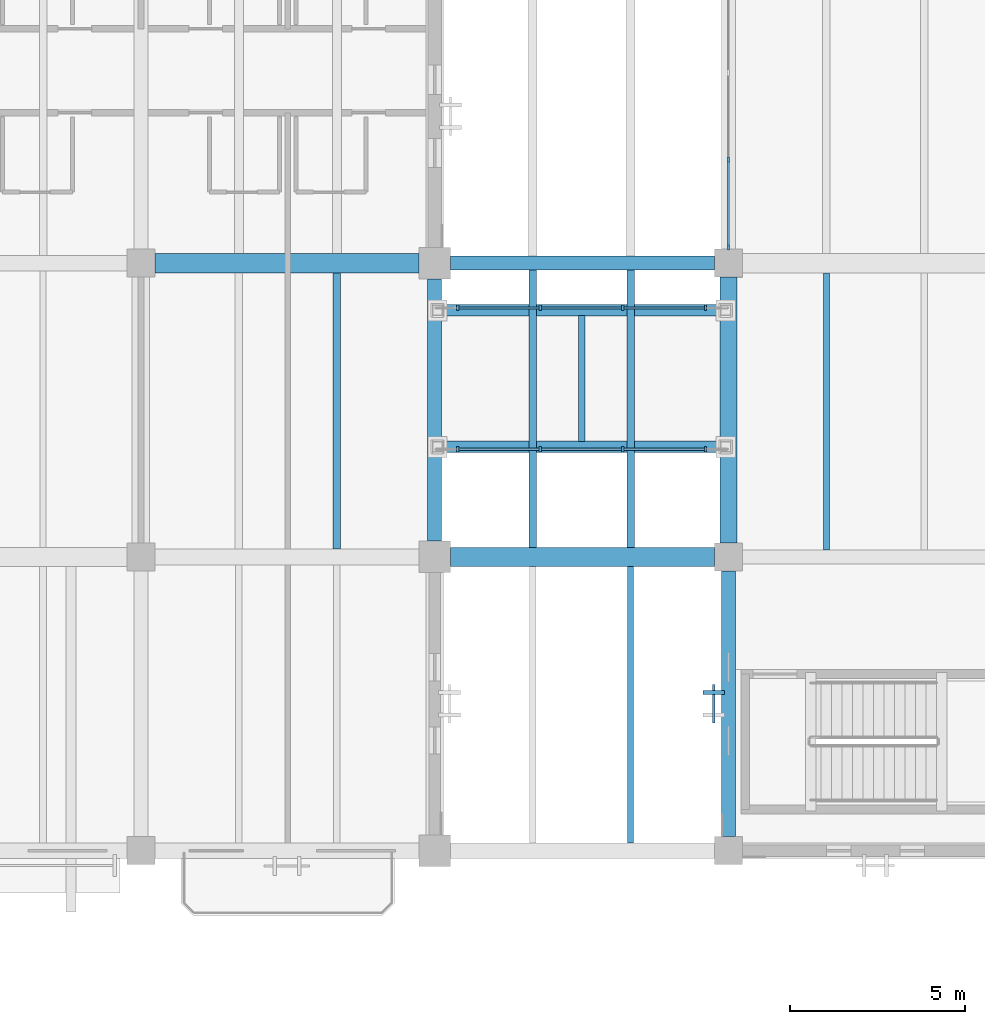
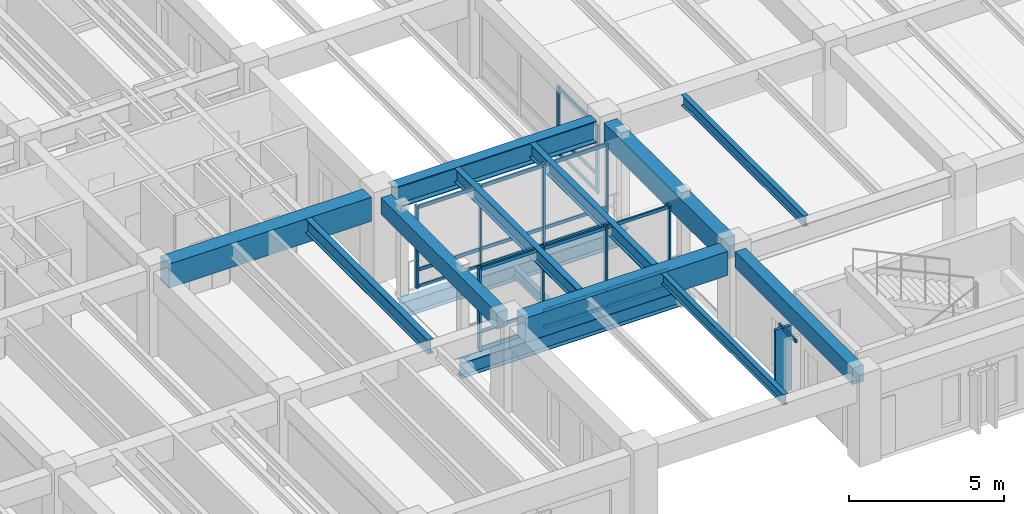
# One storey, part 34 of 118: 33 members, 14 beams, 4 elements without a shape of their own.
"""IFC4 building model written with IfcOpenShell, lengths in metres."""

from ifc_helpers import new_model, si_unit, direction, frame, origin, origin_2d, place, context, subcontext, project, spatial, rectangle, i_section, extrude, material, material_profile, profile_set, type_object, element, aggregate, save


model = new_model("IFC4")

# Units and contexts
model_context = context("Model", 3, precision=1e-05, world=origin(), true_north=direction((0.0, 1.0)))
body_context = subcontext(model_context, "Body", "Model", "MODEL_VIEW")
ifc_project = project(units=[si_unit("LENGTHUNIT", "METRE"), si_unit("AREAUNIT", "SQUARE_METRE"), si_unit("VOLUMEUNIT", "CUBIC_METRE"), si_unit("PLANEANGLEUNIT", "RADIAN"), si_unit("MASSUNIT", "GRAM", prefix="KILO")], contexts=[model_context])

# Site, building, storey
site_placement = place(None, origin())
site = spatial("IfcSite", under=ifc_project, at=site_placement, CompositionType="ELEMENT")
building_placement = place(site_placement, origin())
building = spatial("IfcBuilding", under=site, at=building_placement, Name="Cumbredor Promenade Congress Hotel", CompositionType="ELEMENT")
storey_placement = place(building_placement, frame((0.0, 0.0, 3.919921875)))
storey = spatial("IfcBuildingStorey", under=building, at=storey_placement, Name="L01", CompositionType="ELEMENT", Elevation=3.919921875)

# Beams
ifc_material_1 = material(Name="Concrete C40/50", Category="concrete")
ifc_material_profile_1 = material_profile(ifc_material_1, rectangle(XDim=0.39990234375, YDim=0.64990234375, at=origin_2d()), Name="RC BEAM 400x650")
ifc_profile_set_1 = profile_set([ifc_material_profile_1], Name="Concrete C40/50")
beam_type_1 = type_object("IfcBeamType", Name="BM-RC-400x650", PredefinedType="BEAM", material=ifc_profile_set_1)
beam_1_placement = place(storey_placement, frame((84.0, 92.85009765625, 3.03515625), z_axis=(0.0, 1.0, 0.0), x_axis=(-1.0, 0.0, 0.0)))
element("IfcBeam", 1, at=beam_1_placement, inside=storey, type_object=beam_type_1, Name="L02 Y-Grid Beam 161", PredefinedType="BEAM", context=body_context, shape_type="SweptSolid", body=[
    extrude(rectangle(XDim=0.39990234375, YDim=0.64990234375, at=origin_2d()), origin(), (0.0, 0.0, 1.0), 7.5),
])
beam_2_placement = place(storey_placement, frame((92.39990234375, 84.39990234375, 3.03515625), z_axis=(0.0, 1.0, 0.0), x_axis=(-1.0, 0.0, 0.0)))
element("IfcBeam", 2, at=beam_2_placement, inside=storey, type_object=beam_type_1, Name="L02 Y-Grid Beam 173", PredefinedType="BEAM", context=body_context, shape_type="SweptSolid", body=[
    extrude(rectangle(XDim=0.39990234375, YDim=0.64990234375, at=origin_2d()), origin(), (0.0, 0.0, 1.0), 7.60009765625),
])
ifc_material_profile_2 = material_profile(ifc_material_1, rectangle(XDim=0.5, YDim=0.85009765625, at=origin_2d()), Name="RC BEAM 500x850")
ifc_profile_set_2 = profile_set([ifc_material_profile_2], Name="Concrete C40/50")
beam_type_2 = type_object("IfcBeamType", Name="BM-RC-500x850", PredefinedType="BEAM", material=ifc_profile_set_2)
beam_3_placement = place(storey_placement, frame((92.39990234375, 92.800048828125, 2.93505859375), z_axis=(0.0, 1.0, 0.0), x_axis=(-1.0, 0.0, 0.0)))
element("IfcBeam", 3, at=beam_3_placement, inside=storey, type_object=beam_type_2, Name="L02 Y-Grid Beam 175", PredefinedType="BEAM", context=body_context, shape_type="SweptSolid", body=[
    extrude(rectangle(XDim=0.5, YDim=0.85009765625, at=origin_2d()), origin(), (0.0, 0.0, 1.0), 7.599853515625),
])
ifc_material_profile_3 = material_profile(ifc_material_1, rectangle(XDim=0.550048828125, YDim=0.949951171875, at=origin_2d()), Name="RC BEAM 550x950")
ifc_profile_set_3 = profile_set([ifc_material_profile_3], Name="Concrete C40/50")
beam_type_3 = type_object("IfcBeamType", Name="BM-RC-550x950", PredefinedType="BEAM", material=ifc_profile_set_3)
for number, where, z_axis, x_axis, name in (
    (4, (76.0, 100.800048828125, 2.885009765625), (1.0, 0.0, 0.0), (0.0, 1.0, 0.0), "L02 X-Grid Beam 148"),
    (5, (84.449951171875, 92.39990234375, 2.885009765625), (1.0, 0.0, 0.0), (0.0, 1.0, 0.0), "L02 X-Grid Beam 160"),
):
    element("IfcBeam", number, at=place(storey_placement, frame(where, z_axis=z_axis, x_axis=x_axis)), inside=storey, type_object=beam_type_3, Name=name, PredefinedType="BEAM", context=body_context, shape_type="SweptSolid", body=[
        extrude(rectangle(XDim=0.550048828125, YDim=0.949951171875, at=origin_2d()), origin(), (0.0, 0.0, 1.0), 7.550048828125),
    ])
ifc_material_2 = material(Name="Steel ASTM A992 Grade 50", Category="steel")
ifc_material_profile_4 = material_profile(ifc_material_2, i_section(OverallWidth=0.323974609375, OverallDepth=0.611083984375, WebThickness=0.0126953125, FlangeThickness=0.01904296875, at=origin_2d()), Name="W24X104")
ifc_profile_set_4 = profile_set([ifc_material_profile_4], Name="Steel ASTM A992 Grade 50")
beam_type_4 = type_object("IfcBeamType", Name="BM-W24X104", PredefinedType="BEAM", material=ifc_profile_set_4)
for number, where, z_axis, x_axis, name in (
    (6, (83.9599609375, 95.550048828125, -0.525390625), (1.0, 0.0, 0.0), (0.0, 1.0, 0.0), "L01 North Hotel-to-Forum Glazed Bridge Edge Girder 1"),
    (7, (83.9599609375, 99.449951171875, -0.525390625), (1.0, 0.0, 0.0), (0.0, 1.0, 0.0), "L01 North Hotel-to-Forum Glazed Bridge Edge Girder 2"),
):
    element("IfcBeam", number, at=place(storey_placement, frame(where, z_axis=z_axis, x_axis=x_axis)), inside=storey, type_object=beam_type_4, Name=name, PredefinedType="BEAM", context=body_context, shape_type="SweptSolid", body=[
        extrude(i_section(OverallWidth=0.323974609375, OverallDepth=0.611083984375, WebThickness=0.0126953125, FlangeThickness=0.01904296875, at=origin_2d()), origin(), (0.0, 0.0, 1.0), 8.47998046875),
    ])
ifc_material_profile_5 = material_profile(ifc_material_2, i_section(OverallWidth=0.39990234375, OverallDepth=0.85498046875, WebThickness=0.018310546875, FlangeThickness=0.029296875, at=origin_2d()), Name="W33X201")
ifc_profile_set_5 = profile_set([ifc_material_profile_5], Name="Steel ASTM A992 Grade 50")
beam_type_5 = type_object("IfcBeamType", Name="BM-W33X201", PredefinedType="BEAM", material=ifc_profile_set_5)
beam_4_placement = place(storey_placement, frame((84.449951171875, 100.800048828125, 2.9326171875), z_axis=(1.0, 0.0, 0.0), x_axis=(0.0, 1.0, 0.0)))
element("IfcBeam", 8, at=beam_4_placement, inside=storey, type_object=beam_type_5, Name="L02 X-Grid Beam 162", PredefinedType="BEAM", context=body_context, shape_type="SweptSolid", body=[
    extrude(i_section(OverallWidth=0.39990234375, OverallDepth=0.85498046875, WebThickness=0.018310546875, FlangeThickness=0.029296875, at=origin_2d()), origin(), (0.0, 0.0, 1.0), 7.550048828125),
])

# Curtain wall, members
ifc_material_3 = material(Name="Thermally broken anodized aluminium and low-E glass", Category="aluminium")
curtain_wall_type_1 = type_object("IfcCurtainWallType", Name="Unitised Forum Curtain Wall CW-02", PredefinedType="NOTDEFINED", material=ifc_material_3)
curtain_wall_1_placement = place(storey_placement, origin())
curtain_wall_1 = element("IfcCurtainWall", 9, at=curtain_wall_1_placement, inside=storey, type_object=curtain_wall_type_1, Name="L01 Pre-Function and Breakout Meeting Forum West Curtain Wall 3", PredefinedType="NOTDEFINED")
ifc_material_4 = material(Name="Thermally broken anodized aluminium", Category="aluminium")
ifc_material_profile_6 = material_profile(ifc_material_4, rectangle(XDim=0.06494140625, YDim=0.159912109375, at=origin_2d()), Name="ALU MULLION 65x160")
ifc_profile_set_6 = profile_set([ifc_material_profile_6], Name="Thermally broken anodized aluminium")
member_type_1 = type_object("IfcMemberType", Name="Curtain Wall Mullion ML-01", PredefinedType="MULLION", material=ifc_profile_set_6)
member_1_placement = place(storey_placement, frame((92.39990234375, 101.2548828125, -0.0078125), z_axis=(0.0, 0.0, 1.0), x_axis=(1.0, 0.0, 0.0)))
member_1 = element("IfcMember", 10, at=member_1_placement, type_object=member_type_1, Name="L01 Pre-Function and Breakout Meeting Forum West Curtain Wall 3 Mullion 1", PredefinedType="MULLION", context=body_context, shape_type="SweptSolid", body=[
    extrude(rectangle(XDim=0.06494140625, YDim=0.159912109375, at=origin_2d()), origin(), (0.0, 0.0, 1.0), 2.7109375),
])
member_2_placement = place(storey_placement, frame((92.39990234375, 103.751708984375, -0.0078125), z_axis=(0.0, 0.0, 1.0), x_axis=(1.0, 0.0, 0.0)))
member_2 = element("IfcMember", 11, at=member_2_placement, type_object=member_type_1, Name="L01 Pre-Function and Breakout Meeting Forum West Curtain Wall 3 Mullion 2", PredefinedType="MULLION", context=body_context, shape_type="SweptSolid", body=[
    extrude(rectangle(XDim=0.06494140625, YDim=0.159912109375, at=origin_2d()), origin(), (0.0, 0.0, 1.0), 2.7109375),
])

curtain_wall_type_2 = type_object("IfcCurtainWallType", Name="Unitised Bridge Glazing Screen CW-05", PredefinedType="NOTDEFINED", material=ifc_material_3)
curtain_wall_2_placement = place(storey_placement, origin())
curtain_wall_2 = element("IfcCurtainWall", 12, at=curtain_wall_2_placement, inside=storey, type_object=curtain_wall_type_2, Name="L01 North Hotel-to-Forum Glazed Bridge South Glazing Screen", PredefinedType="NOTDEFINED")
member_3_placement = place(storey_placement, frame((84.659912109375, 95.47998046875, -0.0078125), z_axis=(0.0, 0.0, 1.0), x_axis=(1.0, 0.0, 0.0)))
member_3 = element("IfcMember", 13, at=member_3_placement, type_object=member_type_1, Name="L01 North Hotel-to-Forum Glazed Bridge South Glazing Screen Mullion 1", PredefinedType="MULLION", context=body_context, shape_type="SweptSolid", body=[
    extrude(rectangle(XDim=0.06494140625, YDim=0.159912109375, at=origin_2d()), origin(), (0.0, 0.0, 1.0), 3.27587890625),
])
member_4_placement = place(storey_placement, frame((87.02001953125, 95.47998046875, -0.0078125), z_axis=(0.0, 0.0, 1.0), x_axis=(1.0, 0.0, 0.0)))
member_4 = element("IfcMember", 14, at=member_4_placement, type_object=member_type_1, Name="L01 North Hotel-to-Forum Glazed Bridge South Glazing Screen Mullion 2", PredefinedType="MULLION", context=body_context, shape_type="SweptSolid", body=[
    extrude(rectangle(XDim=0.06494140625, YDim=0.159912109375, at=origin_2d()), origin(), (0.0, 0.0, 1.0), 3.27587890625),
])
member_5_placement = place(storey_placement, frame((89.3798828125, 95.47998046875, -0.0078125), z_axis=(0.0, 0.0, 1.0), x_axis=(1.0, 0.0, 0.0)))
member_5 = element("IfcMember", 15, at=member_5_placement, type_object=member_type_1, Name="L01 North Hotel-to-Forum Glazed Bridge South Glazing Screen Mullion 3", PredefinedType="MULLION", context=body_context, shape_type="SweptSolid", body=[
    extrude(rectangle(XDim=0.06494140625, YDim=0.159912109375, at=origin_2d()), origin(), (0.0, 0.0, 1.0), 3.27587890625),
])
member_6_placement = place(storey_placement, frame((91.739990234375, 95.47998046875, -0.0078125), z_axis=(0.0, 0.0, 1.0), x_axis=(1.0, 0.0, 0.0)))
member_6 = element("IfcMember", 16, at=member_6_placement, type_object=member_type_1, Name="L01 North Hotel-to-Forum Glazed Bridge South Glazing Screen Mullion 4", PredefinedType="MULLION", context=body_context, shape_type="SweptSolid", body=[
    extrude(rectangle(XDim=0.06494140625, YDim=0.159912109375, at=origin_2d()), origin(), (0.0, 0.0, 1.0), 3.27587890625),
])

curtain_wall_3_placement = place(storey_placement, origin())
curtain_wall_3 = element("IfcCurtainWall", 17, at=curtain_wall_3_placement, inside=storey, type_object=curtain_wall_type_2, Name="L01 North Hotel-to-Forum Glazed Bridge North Glazing Screen", PredefinedType="NOTDEFINED")
member_7_placement = place(storey_placement, frame((84.659912109375, 99.52001953125, -0.0078125), z_axis=(0.0, 0.0, 1.0), x_axis=(1.0, 0.0, 0.0)))
member_7 = element("IfcMember", 18, at=member_7_placement, type_object=member_type_1, Name="L01 North Hotel-to-Forum Glazed Bridge North Glazing Screen Mullion 1", PredefinedType="MULLION", context=body_context, shape_type="SweptSolid", body=[
    extrude(rectangle(XDim=0.06494140625, YDim=0.159912109375, at=origin_2d()), origin(), (0.0, 0.0, 1.0), 3.27587890625),
])
member_8_placement = place(storey_placement, frame((87.02001953125, 99.52001953125, -0.0078125), z_axis=(0.0, 0.0, 1.0), x_axis=(1.0, 0.0, 0.0)))
member_8 = element("IfcMember", 19, at=member_8_placement, type_object=member_type_1, Name="L01 North Hotel-to-Forum Glazed Bridge North Glazing Screen Mullion 2", PredefinedType="MULLION", context=body_context, shape_type="SweptSolid", body=[
    extrude(rectangle(XDim=0.06494140625, YDim=0.159912109375, at=origin_2d()), origin(), (0.0, 0.0, 1.0), 3.27587890625),
])
member_9_placement = place(storey_placement, frame((89.3798828125, 99.52001953125, -0.0078125), z_axis=(0.0, 0.0, 1.0), x_axis=(1.0, 0.0, 0.0)))
member_9 = element("IfcMember", 20, at=member_9_placement, type_object=member_type_1, Name="L01 North Hotel-to-Forum Glazed Bridge North Glazing Screen Mullion 3", PredefinedType="MULLION", context=body_context, shape_type="SweptSolid", body=[
    extrude(rectangle(XDim=0.06494140625, YDim=0.159912109375, at=origin_2d()), origin(), (0.0, 0.0, 1.0), 3.27587890625),
])
member_10_placement = place(storey_placement, frame((91.739990234375, 99.52001953125, -0.0078125), z_axis=(0.0, 0.0, 1.0), x_axis=(1.0, 0.0, 0.0)))
member_10 = element("IfcMember", 21, at=member_10_placement, type_object=member_type_1, Name="L01 North Hotel-to-Forum Glazed Bridge North Glazing Screen Mullion 4", PredefinedType="MULLION", context=body_context, shape_type="SweptSolid", body=[
    extrude(rectangle(XDim=0.06494140625, YDim=0.159912109375, at=origin_2d()), origin(), (0.0, 0.0, 1.0), 3.27587890625),
])

# Curtain wall, member
curtain_wall_type_3 = type_object("IfcCurtainWallType", Name="Solar Brise-Soleil Screen Assembly CW-07", PredefinedType="NOTDEFINED", material=ifc_material_3)
curtain_wall_4_placement = place(storey_placement, origin())
curtain_wall_4 = element("IfcCurtainWall", 22, at=curtain_wall_4_placement, inside=storey, type_object=curtain_wall_type_3, Name="L01 Pier Brise-Soleil Screen 0265", PredefinedType="NOTDEFINED")
ifc_material_profile_7 = material_profile(ifc_material_4, rectangle(XDim=0.06494140625, YDim=0.1298828125, at=origin_2d()), Name="ALU TRANSOM 65x130")
ifc_profile_set_7 = profile_set([ifc_material_profile_7], Name="Thermally broken anodized aluminium")
member_type_2 = type_object("IfcMemberType", Name="Curtain Wall Transom TR-01", PredefinedType="USERDEFINED", material=ifc_profile_set_7)
member_11_placement = place(storey_placement, frame((91.9775390625, 87.64990234375, 2.53515625), z_axis=(0.0, 1.0, 0.0), x_axis=(-1.0, 0.0, 0.0)))
member_11 = element("IfcMember", 23, at=member_11_placement, type_object=member_type_2, Name="L01 Pier Brise-Soleil Header 0267", ObjectType="TRANSOM", PredefinedType="USERDEFINED", context=body_context, shape_type="SweptSolid", body=[
    extrude(rectangle(XDim=0.06494140625, YDim=0.1298828125, at=origin_2d()), origin(), (0.0, 0.0, 1.0), 1.10009765625),
])

# Member
member_12_placement = place(storey_placement, frame((92.39990234375, 101.28759765625, 0.06005859375), z_axis=(0.0, 1.0, 0.0), x_axis=(-1.0, 0.0, 0.0)))
member_12 = element("IfcMember", 24, at=member_12_placement, type_object=member_type_2, Name="L01 Pre-Function and Breakout Meeting Forum West Curtain Wall 3 Transom 1.1", ObjectType="TRANSOM", PredefinedType="USERDEFINED", context=body_context, shape_type="SweptSolid", body=[
    extrude(rectangle(XDim=0.06494140625, YDim=0.1298828125, at=origin_2d()), origin(), (0.0, 0.0, 1.0), 2.431640625),
])

member_13_placement = place(storey_placement, frame((92.39990234375, 101.28759765625, 0.719970703125), z_axis=(0.0, 1.0, 0.0), x_axis=(-1.0, 0.0, 0.0)))
member_13 = element("IfcMember", 25, at=member_13_placement, type_object=member_type_2, Name="L01 Pre-Function and Breakout Meeting Forum West Curtain Wall 3 Transom 1.2", ObjectType="TRANSOM", PredefinedType="USERDEFINED", context=body_context, shape_type="SweptSolid", body=[
    extrude(rectangle(XDim=0.06494140625, YDim=0.1298828125, at=origin_2d()), origin(), (0.0, 0.0, 1.0), 2.431640625),
])

member_14_placement = place(storey_placement, frame((92.39990234375, 101.28759765625, 2.630126953125), z_axis=(0.0, 1.0, 0.0), x_axis=(-1.0, 0.0, 0.0)))
member_14 = element("IfcMember", 26, at=member_14_placement, type_object=member_type_2, Name="L01 Pre-Function and Breakout Meeting Forum West Curtain Wall 3 Transom 1.3", ObjectType="TRANSOM", PredefinedType="USERDEFINED", context=body_context, shape_type="SweptSolid", body=[
    extrude(rectangle(XDim=0.06494140625, YDim=0.1298828125, at=origin_2d()), origin(), (0.0, 0.0, 1.0), 2.431640625),
])

aggregate(curtain_wall_1, [member_1, member_2, member_12, member_13, member_14])

member_15_placement = place(storey_placement, frame((84.6923828125, 95.47998046875, 0.06005859375), z_axis=(1.0, 0.0, 0.0), x_axis=(0.0, 1.0, 0.0)))
member_15 = element("IfcMember", 27, at=member_15_placement, type_object=member_type_2, Name="L01 North Hotel-to-Forum Glazed Bridge South Glazing Screen Transom 1.1", ObjectType="TRANSOM", PredefinedType="USERDEFINED", context=body_context, shape_type="SweptSolid", body=[
    extrude(rectangle(XDim=0.06494140625, YDim=0.1298828125, at=origin_2d()), origin(), (0.0, 0.0, 1.0), 2.295166015625),
])

member_16_placement = place(storey_placement, frame((84.6923828125, 95.47998046875, 0.719970703125), z_axis=(1.0, 0.0, 0.0), x_axis=(0.0, 1.0, 0.0)))
member_16 = element("IfcMember", 28, at=member_16_placement, type_object=member_type_2, Name="L01 North Hotel-to-Forum Glazed Bridge South Glazing Screen Transom 1.2", ObjectType="TRANSOM", PredefinedType="USERDEFINED", context=body_context, shape_type="SweptSolid", body=[
    extrude(rectangle(XDim=0.06494140625, YDim=0.1298828125, at=origin_2d()), origin(), (0.0, 0.0, 1.0), 2.295166015625),
])

member_17_placement = place(storey_placement, frame((84.6923828125, 95.47998046875, 3.190185546875), z_axis=(1.0, 0.0, 0.0), x_axis=(0.0, 1.0, 0.0)))
member_17 = element("IfcMember", 29, at=member_17_placement, type_object=member_type_2, Name="L01 North Hotel-to-Forum Glazed Bridge South Glazing Screen Transom 1.3", ObjectType="TRANSOM", PredefinedType="USERDEFINED", context=body_context, shape_type="SweptSolid", body=[
    extrude(rectangle(XDim=0.06494140625, YDim=0.1298828125, at=origin_2d()), origin(), (0.0, 0.0, 1.0), 2.295166015625),
])

member_18_placement = place(storey_placement, frame((87.052490234375, 95.47998046875, 0.06005859375), z_axis=(1.0, 0.0, 0.0), x_axis=(0.0, 1.0, 0.0)))
member_18 = element("IfcMember", 30, at=member_18_placement, type_object=member_type_2, Name="L01 North Hotel-to-Forum Glazed Bridge South Glazing Screen Transom 2.1", ObjectType="TRANSOM", PredefinedType="USERDEFINED", context=body_context, shape_type="SweptSolid", body=[
    extrude(rectangle(XDim=0.06494140625, YDim=0.1298828125, at=origin_2d()), origin(), (0.0, 0.0, 1.0), 2.294921875),
])

member_19_placement = place(storey_placement, frame((87.052490234375, 95.47998046875, 0.719970703125), z_axis=(1.0, 0.0, 0.0), x_axis=(0.0, 1.0, 0.0)))
member_19 = element("IfcMember", 31, at=member_19_placement, type_object=member_type_2, Name="L01 North Hotel-to-Forum Glazed Bridge South Glazing Screen Transom 2.2", ObjectType="TRANSOM", PredefinedType="USERDEFINED", context=body_context, shape_type="SweptSolid", body=[
    extrude(rectangle(XDim=0.06494140625, YDim=0.1298828125, at=origin_2d()), origin(), (0.0, 0.0, 1.0), 2.294921875),
])

member_20_placement = place(storey_placement, frame((87.052490234375, 95.47998046875, 3.190185546875), z_axis=(1.0, 0.0, 0.0), x_axis=(0.0, 1.0, 0.0)))
member_20 = element("IfcMember", 32, at=member_20_placement, type_object=member_type_2, Name="L01 North Hotel-to-Forum Glazed Bridge South Glazing Screen Transom 2.3", ObjectType="TRANSOM", PredefinedType="USERDEFINED", context=body_context, shape_type="SweptSolid", body=[
    extrude(rectangle(XDim=0.06494140625, YDim=0.1298828125, at=origin_2d()), origin(), (0.0, 0.0, 1.0), 2.294921875),
])

member_21_placement = place(storey_placement, frame((89.41259765625, 95.47998046875, 0.06005859375), z_axis=(1.0, 0.0, 0.0), x_axis=(0.0, 1.0, 0.0)))
member_21 = element("IfcMember", 33, at=member_21_placement, type_object=member_type_2, Name="L01 North Hotel-to-Forum Glazed Bridge South Glazing Screen Transom 3.1", ObjectType="TRANSOM", PredefinedType="USERDEFINED", context=body_context, shape_type="SweptSolid", body=[
    extrude(rectangle(XDim=0.06494140625, YDim=0.1298828125, at=origin_2d()), origin(), (0.0, 0.0, 1.0), 2.294921875),
])

member_22_placement = place(storey_placement, frame((89.41259765625, 95.47998046875, 0.719970703125), z_axis=(1.0, 0.0, 0.0), x_axis=(0.0, 1.0, 0.0)))
member_22 = element("IfcMember", 34, at=member_22_placement, type_object=member_type_2, Name="L01 North Hotel-to-Forum Glazed Bridge South Glazing Screen Transom 3.2", ObjectType="TRANSOM", PredefinedType="USERDEFINED", context=body_context, shape_type="SweptSolid", body=[
    extrude(rectangle(XDim=0.06494140625, YDim=0.1298828125, at=origin_2d()), origin(), (0.0, 0.0, 1.0), 2.294921875),
])

member_23_placement = place(storey_placement, frame((89.41259765625, 95.47998046875, 3.190185546875), z_axis=(1.0, 0.0, 0.0), x_axis=(0.0, 1.0, 0.0)))
member_23 = element("IfcMember", 35, at=member_23_placement, type_object=member_type_2, Name="L01 North Hotel-to-Forum Glazed Bridge South Glazing Screen Transom 3.3", ObjectType="TRANSOM", PredefinedType="USERDEFINED", context=body_context, shape_type="SweptSolid", body=[
    extrude(rectangle(XDim=0.06494140625, YDim=0.1298828125, at=origin_2d()), origin(), (0.0, 0.0, 1.0), 2.294921875),
])

aggregate(curtain_wall_2, [member_3, member_4, member_5, member_6, member_15, member_16, member_17, member_18, member_19, member_20, member_21, member_22, member_23])

member_24_placement = place(storey_placement, frame((84.6923828125, 99.52001953125, 0.06005859375), z_axis=(1.0, 0.0, 0.0), x_axis=(0.0, 1.0, 0.0)))
member_24 = element("IfcMember", 36, at=member_24_placement, type_object=member_type_2, Name="L01 North Hotel-to-Forum Glazed Bridge North Glazing Screen Transom 1.1", ObjectType="TRANSOM", PredefinedType="USERDEFINED", context=body_context, shape_type="SweptSolid", body=[
    extrude(rectangle(XDim=0.06494140625, YDim=0.1298828125, at=origin_2d()), origin(), (0.0, 0.0, 1.0), 2.295166015625),
])

member_25_placement = place(storey_placement, frame((84.6923828125, 99.52001953125, 0.719970703125), z_axis=(1.0, 0.0, 0.0), x_axis=(0.0, 1.0, 0.0)))
member_25 = element("IfcMember", 37, at=member_25_placement, type_object=member_type_2, Name="L01 North Hotel-to-Forum Glazed Bridge North Glazing Screen Transom 1.2", ObjectType="TRANSOM", PredefinedType="USERDEFINED", context=body_context, shape_type="SweptSolid", body=[
    extrude(rectangle(XDim=0.06494140625, YDim=0.1298828125, at=origin_2d()), origin(), (0.0, 0.0, 1.0), 2.295166015625),
])

member_26_placement = place(storey_placement, frame((84.6923828125, 99.52001953125, 3.190185546875), z_axis=(1.0, 0.0, 0.0), x_axis=(0.0, 1.0, 0.0)))
member_26 = element("IfcMember", 38, at=member_26_placement, type_object=member_type_2, Name="L01 North Hotel-to-Forum Glazed Bridge North Glazing Screen Transom 1.3", ObjectType="TRANSOM", PredefinedType="USERDEFINED", context=body_context, shape_type="SweptSolid", body=[
    extrude(rectangle(XDim=0.06494140625, YDim=0.1298828125, at=origin_2d()), origin(), (0.0, 0.0, 1.0), 2.295166015625),
])

member_27_placement = place(storey_placement, frame((87.052490234375, 99.52001953125, 0.06005859375), z_axis=(1.0, 0.0, 0.0), x_axis=(0.0, 1.0, 0.0)))
member_27 = element("IfcMember", 39, at=member_27_placement, type_object=member_type_2, Name="L01 North Hotel-to-Forum Glazed Bridge North Glazing Screen Transom 2.1", ObjectType="TRANSOM", PredefinedType="USERDEFINED", context=body_context, shape_type="SweptSolid", body=[
    extrude(rectangle(XDim=0.06494140625, YDim=0.1298828125, at=origin_2d()), origin(), (0.0, 0.0, 1.0), 2.294921875),
])

member_28_placement = place(storey_placement, frame((87.052490234375, 99.52001953125, 0.719970703125), z_axis=(1.0, 0.0, 0.0), x_axis=(0.0, 1.0, 0.0)))
member_28 = element("IfcMember", 40, at=member_28_placement, type_object=member_type_2, Name="L01 North Hotel-to-Forum Glazed Bridge North Glazing Screen Transom 2.2", ObjectType="TRANSOM", PredefinedType="USERDEFINED", context=body_context, shape_type="SweptSolid", body=[
    extrude(rectangle(XDim=0.06494140625, YDim=0.1298828125, at=origin_2d()), origin(), (0.0, 0.0, 1.0), 2.294921875),
])

member_29_placement = place(storey_placement, frame((87.052490234375, 99.52001953125, 3.190185546875), z_axis=(1.0, 0.0, 0.0), x_axis=(0.0, 1.0, 0.0)))
member_29 = element("IfcMember", 41, at=member_29_placement, type_object=member_type_2, Name="L01 North Hotel-to-Forum Glazed Bridge North Glazing Screen Transom 2.3", ObjectType="TRANSOM", PredefinedType="USERDEFINED", context=body_context, shape_type="SweptSolid", body=[
    extrude(rectangle(XDim=0.06494140625, YDim=0.1298828125, at=origin_2d()), origin(), (0.0, 0.0, 1.0), 2.294921875),
])

member_30_placement = place(storey_placement, frame((89.41259765625, 99.52001953125, 0.06005859375), z_axis=(1.0, 0.0, 0.0), x_axis=(0.0, 1.0, 0.0)))
member_30 = element("IfcMember", 42, at=member_30_placement, type_object=member_type_2, Name="L01 North Hotel-to-Forum Glazed Bridge North Glazing Screen Transom 3.1", ObjectType="TRANSOM", PredefinedType="USERDEFINED", context=body_context, shape_type="SweptSolid", body=[
    extrude(rectangle(XDim=0.06494140625, YDim=0.1298828125, at=origin_2d()), origin(), (0.0, 0.0, 1.0), 2.294921875),
])

member_31_placement = place(storey_placement, frame((89.41259765625, 99.52001953125, 0.719970703125), z_axis=(1.0, 0.0, 0.0), x_axis=(0.0, 1.0, 0.0)))
member_31 = element("IfcMember", 43, at=member_31_placement, type_object=member_type_2, Name="L01 North Hotel-to-Forum Glazed Bridge North Glazing Screen Transom 3.2", ObjectType="TRANSOM", PredefinedType="USERDEFINED", context=body_context, shape_type="SweptSolid", body=[
    extrude(rectangle(XDim=0.06494140625, YDim=0.1298828125, at=origin_2d()), origin(), (0.0, 0.0, 1.0), 2.294921875),
])

member_32_placement = place(storey_placement, frame((89.41259765625, 99.52001953125, 3.190185546875), z_axis=(1.0, 0.0, 0.0), x_axis=(0.0, 1.0, 0.0)))
member_32 = element("IfcMember", 44, at=member_32_placement, type_object=member_type_2, Name="L01 North Hotel-to-Forum Glazed Bridge North Glazing Screen Transom 3.3", ObjectType="TRANSOM", PredefinedType="USERDEFINED", context=body_context, shape_type="SweptSolid", body=[
    extrude(rectangle(XDim=0.06494140625, YDim=0.1298828125, at=origin_2d()), origin(), (0.0, 0.0, 1.0), 2.294921875),
])

aggregate(curtain_wall_3, [member_7, member_8, member_9, member_10, member_24, member_25, member_26, member_27, member_28, member_29, member_30, member_31, member_32])

# Beams
ifc_material_profile_8 = material_profile(ifc_material_2, i_section(OverallWidth=0.180908203125, OverallDepth=0.4169921875, WebThickness=0.010986328125, FlangeThickness=0.018310546875, at=origin_2d()), Name="W16X57")
ifc_profile_set_8 = profile_set([ifc_material_profile_8], Name="Steel ASTM A992 Grade 50")
beam_type_6 = type_object("IfcBeamType", Name="JST-W16X57", PredefinedType="JOIST", material=ifc_profile_set_8)
beam_5_placement = place(storey_placement, frame((89.60009765625, 84.22509765625, 3.151611328125), z_axis=(0.0, 1.0, 0.0), x_axis=(-1.0, 0.0, 0.0)))
element("IfcBeam", 45, at=beam_5_placement, inside=storey, type_object=beam_type_6, Name="L02 Secondary Floor Joist 0095", PredefinedType="JOIST", context=body_context, shape_type="SweptSolid", body=[
    extrude(i_section(OverallWidth=0.180908203125, OverallDepth=0.4169921875, WebThickness=0.010986328125, FlangeThickness=0.018310546875, at=origin_2d()), origin(), (0.0, 0.0, 1.0), 7.89990234375),
])
beam_6_placement = place(storey_placement, frame((95.199951171875, 92.60009765625, 3.151611328125), z_axis=(0.0, 1.0, 0.0), x_axis=(-1.0, 0.0, 0.0)))
element("IfcBeam", 46, at=beam_6_placement, inside=storey, type_object=beam_type_6, Name="L02 Secondary Floor Joist 0104", PredefinedType="JOIST", context=body_context, shape_type="SweptSolid", body=[
    extrude(i_section(OverallWidth=0.180908203125, OverallDepth=0.4169921875, WebThickness=0.010986328125, FlangeThickness=0.018310546875, at=origin_2d()), origin(), (0.0, 0.0, 1.0), 7.9248046875),
])
beam_7_placement = place(storey_placement, frame((88.199951171875, 95.699951171875, -0.428466796875), z_axis=(0.0, 1.0, 0.0), x_axis=(-1.0, 0.0, 0.0)))
element("IfcBeam", 47, at=beam_7_placement, inside=storey, type_object=beam_type_6, Name="L01 North Hotel-to-Forum Glazed Bridge Cross Beam", PredefinedType="JOIST", context=body_context, shape_type="SweptSolid", body=[
    extrude(i_section(OverallWidth=0.180908203125, OverallDepth=0.4169921875, WebThickness=0.010986328125, FlangeThickness=0.018310546875, at=origin_2d()), origin(), (0.0, 0.0, 1.0), 3.60009765625),
])
ifc_material_profile_9 = material_profile(ifc_material_2, i_section(OverallWidth=0.214111328125, OverallDepth=0.549072265625, WebThickness=0.0146484375, FlangeThickness=0.023681640625, at=origin_2d()), Name="W21X93")
ifc_profile_set_9 = profile_set([ifc_material_profile_9], Name="Steel ASTM A992 Grade 50")
beam_type_7 = type_object("IfcBeamType", Name="JST-W21X93", PredefinedType="JOIST", material=ifc_profile_set_9)
beam_8_placement = place(storey_placement, frame((81.199951171875, 92.625, 3.085693359375), z_axis=(0.0, 1.0, 0.0), x_axis=(-1.0, 0.0, 0.0)))
element("IfcBeam", 48, at=beam_8_placement, inside=storey, type_object=beam_type_7, Name="L02 Secondary Floor Joist 0087", PredefinedType="JOIST", context=body_context, shape_type="SweptSolid", body=[
    extrude(i_section(OverallWidth=0.214111328125, OverallDepth=0.549072265625, WebThickness=0.0146484375, FlangeThickness=0.023681640625, at=origin_2d()), origin(), (0.0, 0.0, 1.0), 7.89990234375),
])
for number, where, z_axis, x_axis, name in (
    (49, (86.800048828125, 92.675048828125, 3.085693359375), (0.0, 1.0, 0.0), (-1.0, 0.0, 0.0), "L02 Secondary Floor Joist 0096"),
    (50, (89.60009765625, 92.675048828125, 3.085693359375), (0.0, 1.0, 0.0), (-1.0, 0.0, 0.0), "L02 Secondary Floor Joist 0097"),
):
    element("IfcBeam", number, at=place(storey_placement, frame(where, z_axis=z_axis, x_axis=x_axis)), inside=storey, type_object=beam_type_7, Name=name, PredefinedType="JOIST", context=body_context, shape_type="SweptSolid", body=[
        extrude(i_section(OverallWidth=0.214111328125, OverallDepth=0.549072265625, WebThickness=0.0146484375, FlangeThickness=0.023681640625, at=origin_2d()), origin(), (0.0, 0.0, 1.0), 7.925048828125),
    ])

# Member
ifc_material_profile_10 = material_profile(ifc_material_4, rectangle(XDim=0.110107421875, YDim=0.6201171875, at=origin_2d()), Name="ARCH FIN 110x620")
ifc_profile_set_10 = profile_set([ifc_material_profile_10], Name="Thermally broken anodized aluminium")
member_type_3 = type_object("IfcMemberType", Name="Vertical Bronze Brise-Soleil Fin BSF-02 110x620", PredefinedType="USERDEFINED", material=ifc_profile_set_10)
member_33_placement = place(storey_placement, frame((91.9775390625, 88.52001953125, 0.02001953125), z_axis=(0.0, 0.0, 1.0), x_axis=(0.0, 1.0, 0.0)))
member_33 = element("IfcMember", 51, at=member_33_placement, type_object=member_type_3, Name="L01 Pier Brise-Soleil Fin 0267", ObjectType="SOLAR FIN", PredefinedType="USERDEFINED", context=body_context, shape_type="SweptSolid", body=[
    extrude(rectangle(XDim=0.110107421875, YDim=0.6201171875, at=origin_2d()), origin(), (0.0, 0.0, 1.0), 2.55517578125),
])

aggregate(curtain_wall_4, [member_33, member_11])

save(model, "model.ifc")
